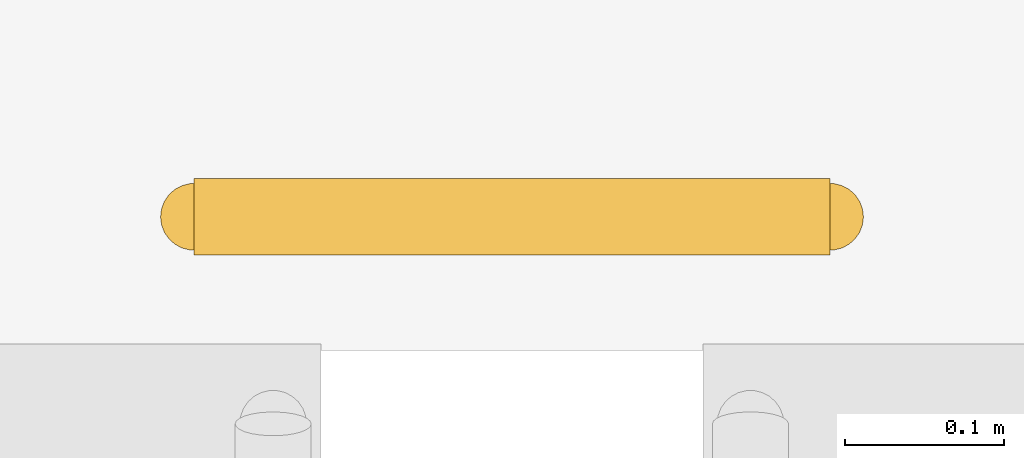
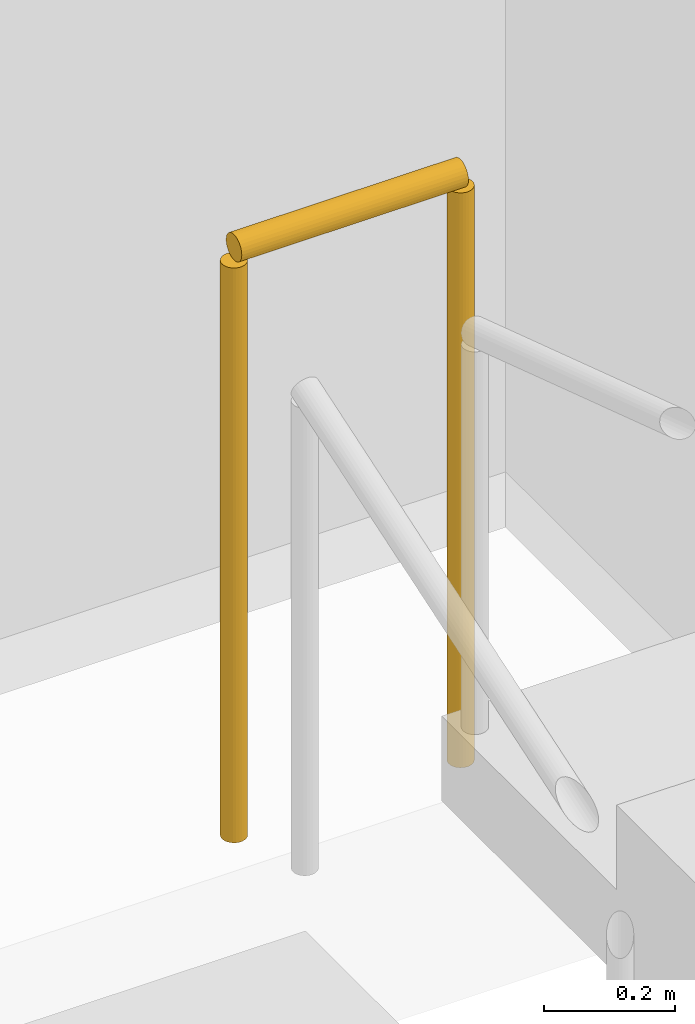
# One storey, part 19 of 19: 1 railing.
"""IFC4 building model written with IfcOpenShell, lengths in metres."""

from ifc_helpers import new_model, si_unit, direction, frame, origin, origin_2d, place, context, subcontext, project, spatial, circle, extrude, material, layer, layer_set, type_object, element, save


model = new_model("IFC4")

# Units and contexts
model_context = context("Model", 3, precision=1e-05, world=origin(), true_north=direction((0.0, 1.0)))
body_context = subcontext(model_context, "Body", "Model", "MODEL_VIEW")
ifc_project = project(units=[si_unit("LENGTHUNIT", "METRE"), si_unit("AREAUNIT", "SQUARE_METRE"), si_unit("VOLUMEUNIT", "CUBIC_METRE"), si_unit("PLANEANGLEUNIT", "RADIAN"), si_unit("MASSUNIT", "GRAM", prefix="KILO")], contexts=[model_context])

# Site, building, storey
site_placement = place(None, origin())
site = spatial("IfcSite", under=ifc_project, at=site_placement, CompositionType="ELEMENT")
building_placement = place(site_placement, origin())
building = spatial("IfcBuilding", under=site, at=building_placement, Name="Girod Span Mobility Hub", CompositionType="ELEMENT")
storey_placement = place(building_placement, frame((0.0, 0.0, 9.60009765625)))
storey = spatial("IfcBuildingStorey", under=building, at=storey_placement, Name="L02", CompositionType="ELEMENT", Elevation=9.60009765625)

# Railing
ifc_material = material(Name="Painted Galvanised Steel", Category="steel")
ifc_layer = layer(ifc_material, 0.06494140625)
ifc_layer_set = layer_set([ifc_layer], Name="Painted Galvanised Steel")
railing_type = type_object("IfcRailingType", Name="RL-GRD-1120", PredefinedType="GUARDRAIL", material=ifc_layer_set)
railing_placement = place(storey_placement, frame((110.10009765625, 65.77001953125, 1.89990234375)))
element("IfcRailing", 1, at=railing_placement, inside=storey, type_object=railing_type, Name="Stair ST-2 Half-Landing Well Guard L02", PredefinedType="GUARDRAIL", context=body_context, shape_type="SweptSolid", body=[
    extrude(circle(Radius=0.02392578125, at=origin_2d()), frame((0.0, 0.0, 1.09619140625), z_axis=(1.0, 0.0, 0.0), x_axis=(0.0, 1.0, 0.0)), (0.0, 0.0, 1.0), 0.39990234375),
    extrude(circle(Radius=0.02099609375, at=origin_2d()), origin(), (0.0, 0.0, 1.0), 1.072021484375),
    extrude(circle(Radius=0.02099609375, at=origin_2d()), frame((0.39990234375, 0.0, 0.0)), (0.0, 0.0, 1.0), 1.072021484375),
])

save(model, "model.ifc")
